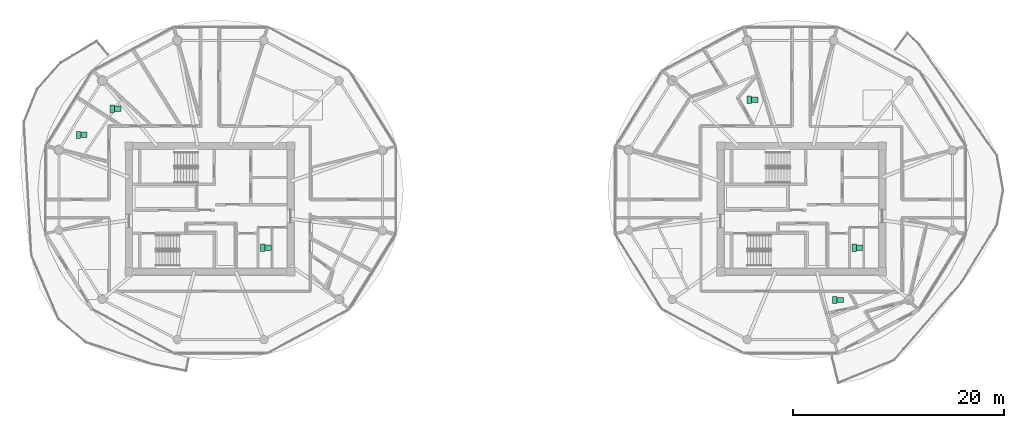
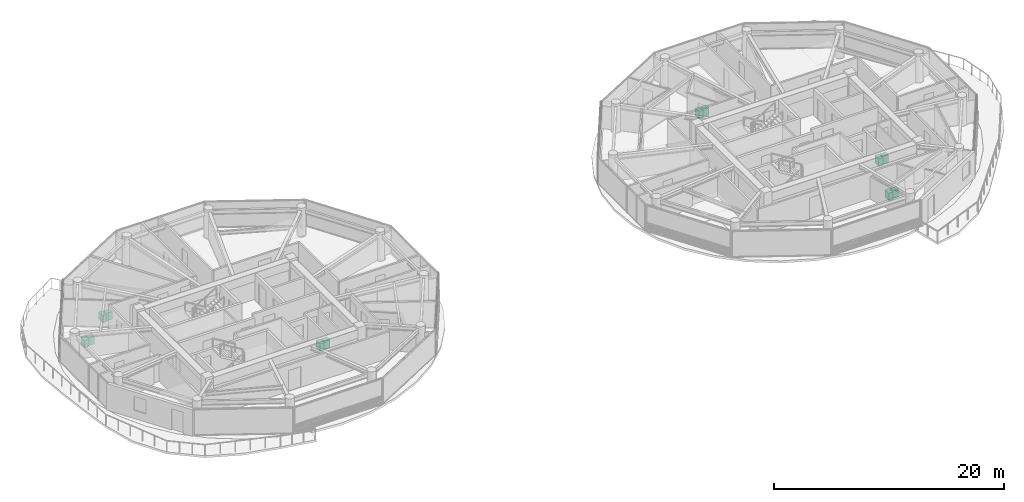
# One storey, part 25 of 25: 12 sanitary terminals.
"""IFC4 building model written with IfcOpenShell, lengths in metres."""

from ifc_helpers import new_model, si_unit, direction, frame, origin, origin_2d, place, context, subcontext, project, spatial, rectangle, extrude, source, transform, mapped, material, type_object, type_shapes, element, save


model = new_model("IFC4")

# Units and contexts
model_context = context("Model", 3, precision=1e-05, world=origin(), true_north=direction((0.0, 1.0)))
body_context = subcontext(model_context, "Body", "Model", "MODEL_VIEW")
ifc_project = project(units=[si_unit("LENGTHUNIT", "METRE"), si_unit("AREAUNIT", "SQUARE_METRE"), si_unit("VOLUMEUNIT", "CUBIC_METRE"), si_unit("PLANEANGLEUNIT", "RADIAN"), si_unit("MASSUNIT", "GRAM", prefix="KILO")], contexts=[model_context])

# Site, building, storey
site_placement = place(None, origin())
site = spatial("IfcSite", under=ifc_project, at=site_placement, CompositionType="ELEMENT")
building_placement = place(site_placement, origin())
building = spatial("IfcBuilding", under=site, at=building_placement, Name="Norrkilde Senior Care Towers", CompositionType="ELEMENT")
storey_placement = place(building_placement, frame((0.0, 0.0, 161.75)))
storey = spatial("IfcBuildingStorey", under=building, at=storey_placement, Name="L50", CompositionType="ELEMENT", Elevation=161.75)

# Sanitary terminals
ifc_material = material(Name="Porcelain Ceramic")
sanitary_terminal_type_1 = type_object("IfcSanitaryTerminalType", Name="Accessible Senior WC Suite", PredefinedType="TOILETPAN", material=ifc_material)
shared_shape_1 = source(origin(), body_context, "Body", "SweptSolid", [
    extrude(rectangle(XDim=0.419921875, YDim=0.679931640625, at=origin_2d()), origin(), (0.0, 0.0, 1.0), 0.780029296875),
])
type_shapes(sanitary_terminal_type_1, [shared_shape_1])
for number, where, z_axis, x_axis, name in (
    (1, (-23.010009765625, -3.675048828125, 0.0), (0.0, 0.0, 1.0), (1.0, 0.0, 0.0), "L50 Accessible WC Pan 0129"),
    (2, (-37.231201171875, 9.47802734375, 0.0), (0.0, 0.0, 1.0), (1.0, 0.0, 0.0), "L50 Accessible WC Pan 0130"),
    (3, (-40.4326171875, 7.002685546875, 0.0), (0.0, 0.0, 1.0), (1.0, 0.0, 0.0), "L50 Accessible WC Pan 0131"),
    (4, (32.989990234375, -3.675048828125, 0.0), (0.0, 0.0, 1.0), (1.0, 0.0, 0.0), "L50 Accessible WC Pan 0132"),
    (5, (23.059814453125, 10.329345703125, 0.0), (0.0, 0.0, 1.0), (1.0, 0.0, 0.0), "L50 Accessible WC Pan 0133"),
    (6, (31.147705078125, -8.619140625, 0.0), (0.0, 0.0, 1.0), (1.0, 0.0, 0.0), "L50 Accessible WC Pan 0134"),
):
    element("IfcSanitaryTerminal", number, at=place(storey_placement, frame(where, z_axis=z_axis, x_axis=x_axis)), inside=storey, type_object=sanitary_terminal_type_1, Name=name, PredefinedType="TOILETPAN", context=body_context, shape_type="MappedRepresentation", body=[
        mapped(shared_shape_1, transform((0.0, 0.0, 0.0), x_axis=(1.0, 0.0, 0.0), y_axis=(0.0, 1.0, 0.0), z_axis=(0.0, 0.0, 1.0), scale=1.0)),
    ])
sanitary_terminal_type_2 = type_object("IfcSanitaryTerminalType", Name="Thermostatic Care Washbasin", PredefinedType="WASHHANDBASIN", material=ifc_material)
shared_shape_2 = source(origin(), body_context, "Body", "SweptSolid", [
    extrude(rectangle(XDim=0.60009765625, YDim=0.5, at=origin_2d()), origin(), (0.0, 0.0, 1.0), 0.820068359375),
])
type_shapes(sanitary_terminal_type_2, [shared_shape_2])
for number, where, z_axis, x_axis, name in (
    (7, (-22.47998046875, -3.675048828125, 0.0), (0.0, 0.0, 1.0), (1.0, 0.0, 0.0), "L50 Accessible Washbasin 0129"),
    (8, (-36.701171875, 9.47802734375, 0.0), (0.0, 0.0, 1.0), (1.0, 0.0, 0.0), "L50 Accessible Washbasin 0130"),
    (9, (-39.902587890625, 7.002685546875, 0.0), (0.0, 0.0, 1.0), (1.0, 0.0, 0.0), "L50 Accessible Washbasin 0131"),
    (10, (33.52001953125, -3.675048828125, 0.0), (0.0, 0.0, 1.0), (1.0, 0.0, 0.0), "L50 Accessible Washbasin 0132"),
    (11, (23.58984375, 10.329345703125, 0.0), (0.0, 0.0, 1.0), (1.0, 0.0, 0.0), "L50 Accessible Washbasin 0133"),
    (12, (31.677734375, -8.619140625, 0.0), (0.0, 0.0, 1.0), (1.0, 0.0, 0.0), "L50 Accessible Washbasin 0134"),
):
    element("IfcSanitaryTerminal", number, at=place(storey_placement, frame(where, z_axis=z_axis, x_axis=x_axis)), inside=storey, type_object=sanitary_terminal_type_2, Name=name, PredefinedType="WASHHANDBASIN", context=body_context, shape_type="MappedRepresentation", body=[
        mapped(shared_shape_2, transform((0.0, 0.0, 0.0), x_axis=(1.0, 0.0, 0.0), y_axis=(0.0, 1.0, 0.0), z_axis=(0.0, 0.0, 1.0), scale=1.0)),
    ])

save(model, "model.ifc")
